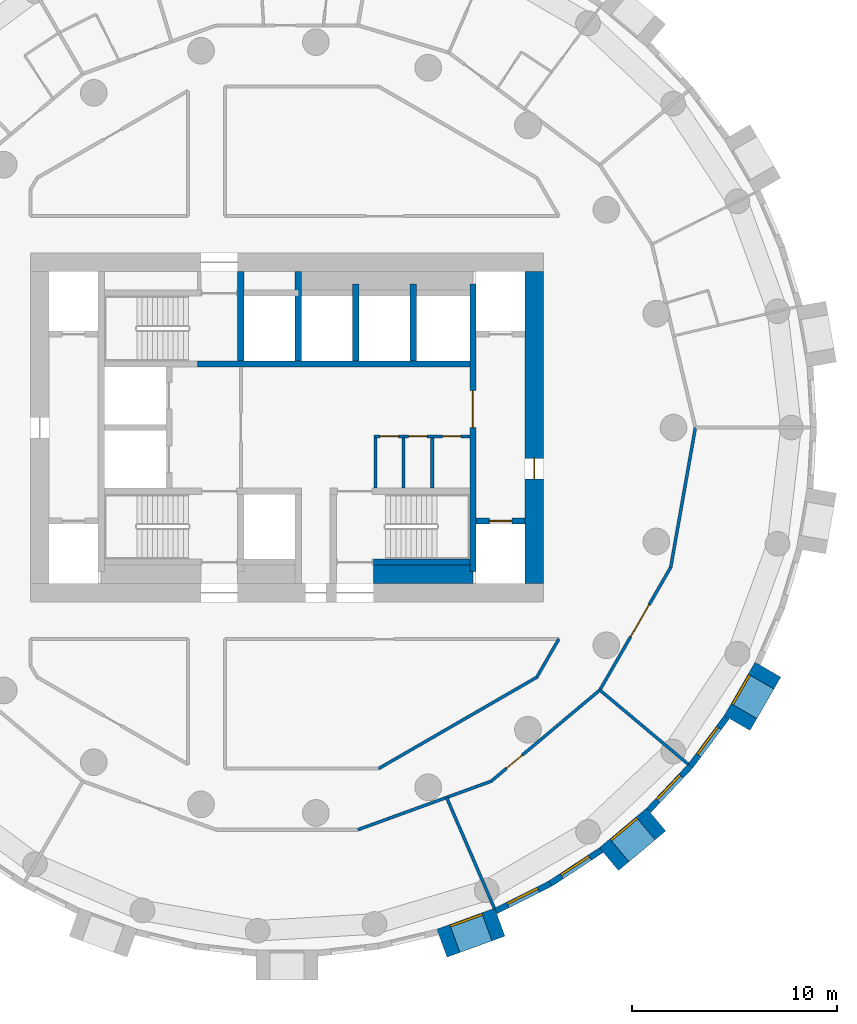
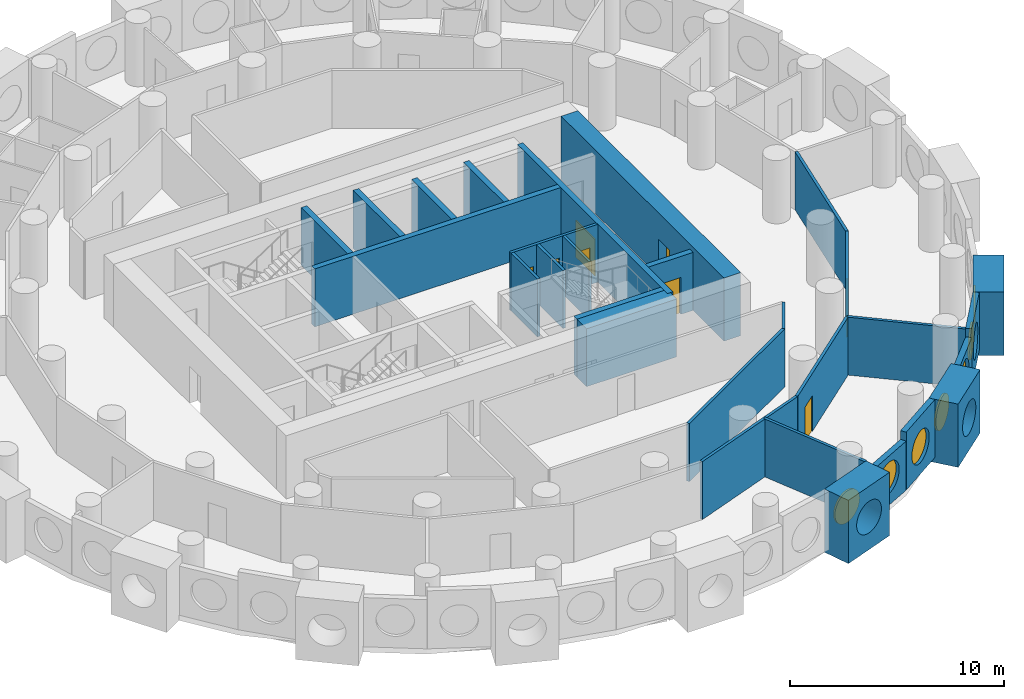
# One storey, part 4 of 9: 29 walls, 8 doors, 7 windows, 15 openings.
"""IFC4 building model written with IfcOpenShell, lengths in metres."""

from ifc_helpers import new_model, si_unit, direction, frame, frame_2d, origin, origin_2d, place, context, subcontext, project, spatial, rectangle, circle, extrude, material, layer, layer_set, type_object, element, fill, save


model = new_model("IFC4")

# Units and contexts
model_context = context("Model", 3, precision=1e-05, world=origin(), true_north=direction((0.0, 1.0)))
body_context = subcontext(model_context, "Body", "Model", "MODEL_VIEW")
ifc_project = project(units=[si_unit("LENGTHUNIT", "METRE"), si_unit("AREAUNIT", "SQUARE_METRE"), si_unit("VOLUMEUNIT", "CUBIC_METRE"), si_unit("PLANEANGLEUNIT", "RADIAN"), si_unit("MASSUNIT", "GRAM", prefix="KILO")], contexts=[model_context])

# Site, building, storey
site_placement = place(None, origin())
site = spatial("IfcSite", under=ifc_project, at=site_placement, CompositionType="ELEMENT")
building_placement = place(site_placement, origin())
building = spatial("IfcBuilding", under=site, at=building_placement, Name="Tracery Tower", CompositionType="ELEMENT")
storey_placement = place(building_placement, frame((0.0, 0.0, 172.800048828125)))
storey = spatial("IfcBuildingStorey", under=building, at=storey_placement, Name="L44", CompositionType="ELEMENT", Elevation=172.800048828125)

# Wall
ifc_material_1 = material(Name="Plasterboard on steel studs", Category="steel")
ifc_layer_1 = layer(ifc_material_1, 0.14990234375)
ifc_layer_set_1 = layer_set([ifc_layer_1], Name="Core room partition 150")
wall_type_1 = type_object("IfcWallType", Name="Core room partition 150", PredefinedType="SOLIDWALL", material=ifc_layer_set_1)
wall_1_placement = place(storey_placement, frame((4.300048828125, -2.949951171875, 0.0), z_axis=(0.0, 0.0, 1.0), x_axis=(0.0, 1.0, 0.0)))
element("IfcWall", 1, at=wall_1_placement, inside=storey, type_object=wall_type_1, Name="L44 slot W", PredefinedType="SOLIDWALL", context=body_context, shape_type="SweptSolid", body=[
    extrude(rectangle(XDim=2.449951171875, YDim=0.14990234375, at=frame_2d((1.22509765625, 0.0))), origin(), (0.0, 0.0, 1.0), 3.300048828125),
])

# Wall, openings, doors
wall_2_placement = place(storey_placement, frame((4.22509765625, -0.425048828125, 0.0), z_axis=(0.0, 0.0, 1.0), x_axis=(1.0, 0.0, 0.0)))
wall_2 = element("IfcWall", 2, at=wall_2_placement, inside=storey, type_object=wall_type_1, Name="L44 slot N", PredefinedType="SOLIDWALL", context=body_context, shape_type="SweptSolid", body=[
    extrude(rectangle(XDim=4.6748046875, YDim=0.14990234375, at=frame_2d((2.33740234375, 0.0))), origin(), (0.0, 0.0, 1.0), 3.300048828125),
])
opening_1_placement = place(wall_2_placement, frame((0.3125, 0.0, 0.0)))
opening_1 = element("IfcOpeningElement", 3, at=opening_1_placement, cuts=wall_2, Name="Opening KD32", PredefinedType="OPENING", context=body_context, shape_type="SweptSolid", body=[
    extrude(rectangle(XDim=0.89990234375, YDim=2.10009765625, at=frame_2d((0.449951171875, 1.050048828125))), frame((0.0, 0.074951171875, 0.0), z_axis=(0.0, -1.0, 0.0), x_axis=(1.0, 0.0, 0.0)), (0.0, 0.0, 1.0), 0.14990234375),
])
opening_2_placement = place(wall_2_placement, frame((1.699951171875, 0.0, 0.0)))
opening_2 = element("IfcOpeningElement", 4, at=opening_2_placement, cuts=wall_2, Name="Opening KD26", PredefinedType="OPENING", context=body_context, shape_type="SweptSolid", body=[
    extrude(rectangle(XDim=0.89990234375, YDim=2.10009765625, at=frame_2d((0.449951171875, 1.050048828125))), frame((0.0, 0.074951171875, 0.0), z_axis=(0.0, -1.0, 0.0), x_axis=(1.0, 0.0, 0.0)), (0.0, 0.0, 1.0), 0.14990234375),
])
opening_3_placement = place(wall_2_placement, frame((3.35009765625, 0.0, 0.0)))
opening_3 = element("IfcOpeningElement", 5, at=opening_3_placement, cuts=wall_2, Name="Opening KD22", PredefinedType="OPENING", context=body_context, shape_type="SweptSolid", body=[
    extrude(rectangle(XDim=0.89990234375, YDim=2.10009765625, at=frame_2d((0.449951171875, 1.050048828125))), frame((0.0, 0.074951171875, 0.0), z_axis=(0.0, -1.0, 0.0), x_axis=(1.0, 0.0, 0.0)), (0.0, 0.0, 1.0), 0.14990234375),
])
ifc_material_2 = material(Name="Timber door leaf", Category="wood")
door_type_1 = type_object("IfcDoorType", Name="Core WC door 900", OperationType="NOTDEFINED", PredefinedType="DOOR", material=ifc_material_2)
door_1_placement = place(opening_3_placement, origin())
door_1 = element("IfcDoor", 6, at=door_1_placement, inside=storey, type_object=door_type_1, Name="Core door", OperationType="SINGLE_SWING_RIGHT", OverallHeight=2.10009765625, OverallWidth=0.89990234375, PredefinedType="DOOR", context=body_context, shape_type="SweptSolid", body=[
    extrude(rectangle(XDim=0.89990234375, YDim=2.10009765625, at=frame_2d((0.449951171875, 1.050048828125))), frame((0.0, 0.02490234375, 0.0), z_axis=(0.0, -1.0, 0.0), x_axis=(1.0, 0.0, 0.0)), (0.0, 0.0, 1.0), 0.050048828125),
])
fill(opening_3, door_1)
ifc_material_3 = material(Name="Steel fire door", Category="steel")
door_type_2 = type_object("IfcDoorType", Name="Core riser door 900", OperationType="NOTDEFINED", PredefinedType="DOOR", material=ifc_material_3)
door_2_placement = place(opening_1_placement, origin())
door_2 = element("IfcDoor", 7, at=door_2_placement, inside=storey, type_object=door_type_2, Name="Core door", OperationType="SINGLE_SWING_RIGHT", OverallHeight=2.10009765625, OverallWidth=0.89990234375, PredefinedType="DOOR", context=body_context, shape_type="SweptSolid", body=[
    extrude(rectangle(XDim=0.89990234375, YDim=2.10009765625, at=frame_2d((0.449951171875, 1.050048828125))), frame((0.0, 0.02490234375, 0.0), z_axis=(0.0, -1.0, 0.0), x_axis=(1.0, 0.0, 0.0)), (0.0, 0.0, 1.0), 0.050048828125),
])
fill(opening_1, door_2)
ifc_material_4 = material(Name="Timber door leaf", Category="wood")
door_type_3 = type_object("IfcDoorType", Name="Core store door 900", OperationType="NOTDEFINED", PredefinedType="DOOR", material=ifc_material_4)
door_3_placement = place(opening_2_placement, origin())
door_3 = element("IfcDoor", 8, at=door_3_placement, inside=storey, type_object=door_type_3, Name="Core door", OperationType="SINGLE_SWING_LEFT", OverallHeight=2.10009765625, OverallWidth=0.89990234375, PredefinedType="DOOR", context=body_context, shape_type="SweptSolid", body=[
    extrude(rectangle(XDim=0.89990234375, YDim=2.10009765625, at=frame_2d((0.449951171875, 1.050048828125))), frame((0.0, 0.02490234375, 0.0), z_axis=(0.0, -1.0, 0.0), x_axis=(1.0, 0.0, 0.0)), (0.0, 0.0, 1.0), 0.050048828125),
])
fill(opening_2, door_3)

# Walls
for number, where, z_axis, x_axis, name in (
    (9, (5.675048828125, -2.949951171875, 0.0), (0.0, 0.0, 1.0), (0.0, 1.0, 0.0), "L44 slot sep 1"),
    (10, (7.074951171875, -2.949951171875, 0.0), (0.0, 0.0, 1.0), (0.0, 1.0, 0.0), "L44 slot sep 2"),
):
    element("IfcWall", number, at=place(storey_placement, frame(where, z_axis=z_axis, x_axis=x_axis)), inside=storey, type_object=wall_type_1, Name=name, PredefinedType="SOLIDWALL", context=body_context, shape_type="SweptSolid", body=[
        extrude(rectangle(XDim=2.449951171875, YDim=0.14990234375, at=frame_2d((1.22509765625, 0.0))), origin(), (0.0, 0.0, 1.0), 3.300048828125),
    ])
ifc_material_5 = material(Name="Concrete C50/60", Category="concrete")
ifc_layer_2 = layer(ifc_material_5, 0.89990234375)
ifc_layer_set_2 = layer_set([ifc_layer_2], Name="Core strip wall 900 C50")
wall_type_2 = type_object("IfcWallType", Name="Core strip wall 900 C50", PredefinedType="SOLIDWALL", material=ifc_layer_set_2)
wall_3_placement = place(storey_placement, frame((4.199951171875, -7.14990234375, 0.0), z_axis=(0.0, 0.0, 1.0), x_axis=(1.0, 0.0, 0.0)))
element("IfcWall", 11, at=wall_3_placement, inside=storey, type_object=wall_type_2, Name="L44 F thick S E", PredefinedType="SOLIDWALL", context=body_context, shape_type="SweptSolid", body=[
    extrude(rectangle(XDim=4.85009765625, YDim=0.89990234375, at=frame_2d((2.425048828125, 0.0))), origin(), (0.0, 0.0, 1.0), 3.300048828125),
])

# Wall, opening, door
ifc_material_6 = material(Name="Concrete C50/60", Category="concrete")
ifc_layer_3 = layer(ifc_material_6, 0.89990234375)
ifc_layer_set_3 = layer_set([ifc_layer_3], Name="Core wall 900 C50")
wall_type_3 = type_object("IfcWallType", Name="Core wall 900 C50", PredefinedType="SOLIDWALL", material=ifc_layer_set_3)
wall_4_placement = place(storey_placement, frame((12.050048828125, -7.60009765625, 0.0), z_axis=(0.0, 0.0, 1.0), x_axis=(0.0, 1.0, 0.0)))
wall_4 = element("IfcWall", 12, at=wall_4_placement, inside=storey, type_object=wall_type_3, Name="L44 outer E", PredefinedType="SOLIDWALL", context=body_context, shape_type="SweptSolid", body=[
    extrude(rectangle(XDim=15.2001953125, YDim=0.89990234375, at=frame_2d((7.60009765625, 0.0))), origin(), (0.0, 0.0, 1.0), 3.599853515625),
])
opening_4_placement = place(wall_4_placement, frame((5.10009765625, 0.0, 0.0)))
opening_4 = element("IfcOpeningElement", 13, at=opening_4_placement, cuts=wall_4, Name="Opening KD18", PredefinedType="OPENING", context=body_context, shape_type="SweptSolid", body=[
    extrude(rectangle(XDim=1.0, YDim=2.10009765625, at=frame_2d((0.5, 1.050048828125))), frame((0.0, 0.449951171875, 0.0), z_axis=(0.0, -1.0, 0.0), x_axis=(1.0, 0.0, 0.0)), (0.0, 0.0, 1.0), 0.89990234375),
])
ifc_material_7 = material(Name="Steel fire door", Category="steel")
door_type_4 = type_object("IfcDoorType", Name="Core exit door 1000", OperationType="NOTDEFINED", PredefinedType="DOOR", material=ifc_material_7)
door_4_placement = place(opening_4_placement, origin())
door_4 = element("IfcDoor", 14, at=door_4_placement, inside=storey, type_object=door_type_4, Name="Core exit door", OperationType="DOUBLE_DOOR_SINGLE_SWING", OverallHeight=2.10009765625, OverallWidth=1.0, PredefinedType="DOOR", context=body_context, shape_type="SweptSolid", body=[
    extrude(rectangle(XDim=1.0, YDim=2.10009765625, at=frame_2d((0.5, 1.050048828125))), frame((0.0, 0.02490234375, 0.0), z_axis=(0.0, -1.0, 0.0), x_axis=(1.0, 0.0, 0.0)), (0.0, 0.0, 1.0), 0.050048828125),
])
fill(opening_4, door_4)

# Wall, opening, window
ifc_material_8 = material(Name="Precast concrete C50/60", Category="concrete")
ifc_layer_4 = layer(ifc_material_8, 1.449951171875)
ifc_layer_set_4 = layer_set([ifc_layer_4], Name="Deep-set bay unit 3000 x 3600, slab edge 300")
wall_type_4 = type_object("IfcWallType", Name="Deep-set bay unit 3000 x 3600, slab edge 300", PredefinedType="ELEMENTEDWALL", material=ifc_layer_set_4)
wall_5_placement = place(storey_placement, frame((7.544189453125, -25.11328125, -0.300048828125), z_axis=(0.0, 0.0, 1.0), x_axis=(0.939686455819, 0.342037080957, 0.0)))
wall_5 = element("IfcWall", 15, at=wall_5_placement, inside=storey, type_object=wall_type_4, Name="Deep-set bay unit 44 at L44", PredefinedType="ELEMENTEDWALL", context=body_context, shape_type="SweptSolid", body=[
    extrude(rectangle(XDim=3.0, YDim=1.449951171875, at=frame_2d((1.5, 0.0))), origin(), (0.0, 0.0, 1.0), 3.60009765625),
])
opening_5_placement = place(wall_5_placement, frame((1.5, 0.0, 1.85009765625)))
opening_5 = element("IfcOpeningElement", 16, at=opening_5_placement, cuts=wall_5, Name="Opening WN1", PredefinedType="OPENING", context=body_context, shape_type="SweptSolid", body=[
    extrude(circle(Radius=0.9000244140625, at=origin_2d()), frame((0.0, 0.73486328125, 0.0), z_axis=(0.0, -1.0, 0.0), x_axis=(1.0, 0.0, 0.0)), (0.0, 0.0, 1.0), 1.469970703125),
])
ifc_material_9 = material(Name="Aluminium frame with tinted double glazing", Category="aluminium")
window_type = type_object("IfcWindowType", Name="Round window 1800", PartitioningType="SINGLE_PANEL", PredefinedType="WINDOW", material=ifc_material_9)
window_1_placement = place(opening_5_placement, origin())
window_1 = element("IfcWindow", 17, at=window_1_placement, inside=storey, type_object=window_type, Name="Round window 44 at L44", OverallHeight=1.800048828125, OverallWidth=1.800048828125, PartitioningType="SINGLE_PANEL", PredefinedType="WINDOW", context=body_context, shape_type="SweptSolid", body=[
    extrude(circle(Radius=0.9000244140625, at=origin_2d()), frame((0.0, 0.69482421875, 0.0), z_axis=(0.0, -1.0, 0.0), x_axis=(1.0, 0.0, 0.0)), (0.0, 0.0, 1.0), 0.10009765625),
])
fill(opening_5, window_1)

wall_6_placement = place(storey_placement, frame((15.678466796875, -21.0185546875, -0.300048828125), z_axis=(0.0, 0.0, 1.0), x_axis=(0.766022196139, 0.642814121673, 0.0)))
wall_6 = element("IfcWall", 18, at=wall_6_placement, inside=storey, type_object=wall_type_4, Name="Deep-set bay unit 47 at L44", PredefinedType="ELEMENTEDWALL", context=body_context, shape_type="SweptSolid", body=[
    extrude(rectangle(XDim=3.0, YDim=1.449951171875, at=frame_2d((1.5, 0.0))), origin(), (0.0, 0.0, 1.0), 3.60009765625),
])
opening_6_placement = place(wall_6_placement, frame((1.5, 0.0, 1.85009765625)))
opening_6 = element("IfcOpeningElement", 19, at=opening_6_placement, cuts=wall_6, Name="Opening WN1", PredefinedType="OPENING", context=body_context, shape_type="SweptSolid", body=[
    extrude(circle(Radius=0.9000244140625, at=origin_2d()), frame((0.0, 0.73486328125, 0.0), z_axis=(0.0, -1.0, 0.0), x_axis=(1.0, 0.0, 0.0)), (0.0, 0.0, 1.0), 1.469970703125),
])
window_2_placement = place(opening_6_placement, origin())
window_2 = element("IfcWindow", 20, at=window_2_placement, inside=storey, type_object=window_type, Name="Round window 47 at L44", OverallHeight=1.800048828125, OverallWidth=1.800048828125, PartitioningType="SINGLE_PANEL", PredefinedType="WINDOW", context=body_context, shape_type="SweptSolid", body=[
    extrude(circle(Radius=0.9000244140625, at=origin_2d()), frame((0.0, 0.69482421875, 0.0), z_axis=(0.0, -1.0, 0.0), x_axis=(1.0, 0.0, 0.0)), (0.0, 0.0, 1.0), 0.10009765625),
])
fill(opening_6, window_2)

wall_7_placement = place(storey_placement, frame((21.921630859375, -14.388671875, -0.300048828125), z_axis=(0.0, 0.0, 1.0), x_axis=(0.499990139034, 0.866031096941, 0.0)))
wall_7 = element("IfcWall", 21, at=wall_7_placement, inside=storey, type_object=wall_type_4, Name="Deep-set bay unit 50 at L44", PredefinedType="ELEMENTEDWALL", context=body_context, shape_type="SweptSolid", body=[
    extrude(rectangle(XDim=3.0, YDim=1.449951171875, at=frame_2d((1.5, 0.0))), origin(), (0.0, 0.0, 1.0), 3.60009765625),
])
opening_7_placement = place(wall_7_placement, frame((1.5, 0.0, 1.85009765625)))
opening_7 = element("IfcOpeningElement", 22, at=opening_7_placement, cuts=wall_7, Name="Opening WN1", PredefinedType="OPENING", context=body_context, shape_type="SweptSolid", body=[
    extrude(circle(Radius=0.9000244140625, at=origin_2d()), frame((0.0, 0.73486328125, 0.0), z_axis=(0.0, -1.0, 0.0), x_axis=(1.0, 0.0, 0.0)), (0.0, 0.0, 1.0), 1.469970703125),
])
window_3_placement = place(opening_7_placement, origin())
window_3 = element("IfcWindow", 23, at=window_3_placement, inside=storey, type_object=window_type, Name="Round window 50 at L44", OverallHeight=1.800048828125, OverallWidth=1.800048828125, PartitioningType="SINGLE_PANEL", PredefinedType="WINDOW", context=body_context, shape_type="SweptSolid", body=[
    extrude(circle(Radius=0.9000244140625, at=origin_2d()), frame((0.0, 0.69482421875, 0.0), z_axis=(0.0, -1.0, 0.0), x_axis=(1.0, 0.0, 0.0)), (0.0, 0.0, 1.0), 0.10009765625),
])
fill(opening_7, window_3)

ifc_material_10 = material(Name="Precast concrete C50/60", Category="concrete")
ifc_layer_5 = layer(ifc_material_10, 0.300048828125)
ifc_layer_set_5 = layer_set([ifc_layer_5], Name="Facade panel 3000 x 2800")
wall_type_5 = type_object("IfcWallType", Name="Facade panel 3000 x 2800", PredefinedType="SOLIDWALL", material=ifc_layer_set_5)
wall_8_placement = place(storey_placement, frame((10.1669921875, -23.545654296875, 0.0), z_axis=(0.0, 0.0, 1.0), x_axis=(0.893637442555, 0.448789618045, 0.0)))
wall_8 = element("IfcWall", 24, at=wall_8_placement, inside=storey, type_object=wall_type_5, Name="Facade panel 45 at L44", PredefinedType="SOLIDWALL", context=body_context, shape_type="SweptSolid", body=[
    extrude(rectangle(XDim=2.972900390625, YDim=0.300048828125, at=frame_2d((1.486328125, 0.0))), origin(), (0.0, 0.0, 1.0), 2.800048828125),
])
opening_8_placement = place(wall_8_placement, frame((1.486328125, 0.0, 1.5498046875)))
opening_8 = element("IfcOpeningElement", 25, at=opening_8_placement, cuts=wall_8, Name="Opening WN1", PredefinedType="OPENING", context=body_context, shape_type="SweptSolid", body=[
    extrude(circle(Radius=0.9000244140625, at=origin_2d()), frame((0.0, 0.159912109375, 0.0), z_axis=(0.0, -1.0, 0.0), x_axis=(1.0, 0.0, 0.0)), (0.0, 0.0, 1.0), 0.320068359375),
])
window_4_placement = place(opening_8_placement, origin())
window_4 = element("IfcWindow", 26, at=window_4_placement, inside=storey, type_object=window_type, Name="Round window 45 at L44", OverallHeight=1.800048828125, OverallWidth=1.800048828125, PartitioningType="SINGLE_PANEL", PredefinedType="WINDOW", context=body_context, shape_type="SweptSolid", body=[
    extrude(circle(Radius=0.9000244140625, at=origin_2d()), frame((0.0, 0.1201171875, 0.0), z_axis=(0.0, -1.0, 0.0), x_axis=(1.0, 0.0, 0.0)), (0.0, 0.0, 1.0), 0.10009765625),
])
fill(opening_8, window_4)

wall_9_placement = place(storey_placement, frame((17.60693359375, -18.648193359375, 0.0), z_axis=(0.0, 0.0, 1.0), x_axis=(0.686235184166, 0.727379730273, 0.0)))
wall_9 = element("IfcWall", 27, at=wall_9_placement, inside=storey, type_object=wall_type_5, Name="Facade panel 48 at L44", PredefinedType="SOLIDWALL", context=body_context, shape_type="SweptSolid", body=[
    extrude(rectangle(XDim=2.972900390625, YDim=0.300048828125, at=frame_2d((1.486328125, 0.0))), origin(), (0.0, 0.0, 1.0), 2.800048828125),
])
opening_9_placement = place(wall_9_placement, frame((1.486328125, 0.0, 1.5498046875)))
opening_9 = element("IfcOpeningElement", 28, at=opening_9_placement, cuts=wall_9, Name="Opening WN1", PredefinedType="OPENING", context=body_context, shape_type="SweptSolid", body=[
    extrude(circle(Radius=0.9000244140625, at=origin_2d()), frame((0.0, 0.159912109375, 0.0), z_axis=(0.0, -1.0, 0.0), x_axis=(1.0, 0.0, 0.0)), (0.0, 0.0, 1.0), 0.320068359375),
])
window_5_placement = place(opening_9_placement, origin())
window_5 = element("IfcWindow", 29, at=window_5_placement, inside=storey, type_object=window_type, Name="Round window 48 at L44", OverallHeight=1.800048828125, OverallWidth=1.800048828125, PartitioningType="SINGLE_PANEL", PredefinedType="WINDOW", context=body_context, shape_type="SweptSolid", body=[
    extrude(circle(Radius=0.9000244140625, at=origin_2d()), frame((0.0, 0.1201171875, 0.0), z_axis=(0.0, -1.0, 0.0), x_axis=(1.0, 0.0, 0.0)), (0.0, 0.0, 1.0), 0.10009765625),
])
fill(opening_9, window_5)

ifc_material_11 = material(Name="Precast concrete C50/60", Category="concrete")
ifc_layer_6 = layer(ifc_material_11, 0.300048828125)
ifc_layer_set_6 = layer_set([ifc_layer_6], Name="Facade panel 3000 x 3300")
wall_type_6 = type_object("IfcWallType", Name="Facade panel 3000 x 3300", PredefinedType="SOLIDWALL", material=ifc_layer_set_6)
wall_10_placement = place(storey_placement, frame((12.82373046875, -22.21142578125, 0.0), z_axis=(0.0, 0.0, 1.0), x_axis=(0.835470659512, 0.549535055382, 0.0)))
wall_10 = element("IfcWall", 30, at=wall_10_placement, inside=storey, type_object=wall_type_6, Name="Facade panel 46 at L44", PredefinedType="SOLIDWALL", context=body_context, shape_type="SweptSolid", body=[
    extrude(rectangle(XDim=2.97314453125, YDim=0.300048828125, at=frame_2d((1.486572265625, 0.0))), origin(), (0.0, 0.0, 1.0), 3.300048828125),
])
opening_10_placement = place(wall_10_placement, frame((1.486328125, 0.0, 1.5498046875)))
opening_10 = element("IfcOpeningElement", 31, at=opening_10_placement, cuts=wall_10, Name="Opening WN1", PredefinedType="OPENING", context=body_context, shape_type="SweptSolid", body=[
    extrude(circle(Radius=0.9000244140625, at=origin_2d()), frame((0.0, 0.159912109375, 0.0), z_axis=(0.0, -1.0, 0.0), x_axis=(1.0, 0.0, 0.0)), (0.0, 0.0, 1.0), 0.320068359375),
])
window_6_placement = place(opening_10_placement, origin())
window_6 = element("IfcWindow", 32, at=window_6_placement, inside=storey, type_object=window_type, Name="Round window 46 at L44", OverallHeight=1.800048828125, OverallWidth=1.800048828125, PartitioningType="SINGLE_PANEL", PredefinedType="WINDOW", context=body_context, shape_type="SweptSolid", body=[
    extrude(circle(Radius=0.9000244140625, at=origin_2d()), frame((0.0, 0.1201171875, 0.0), z_axis=(0.0, -1.0, 0.0), x_axis=(1.0, 0.0, 0.0)), (0.0, 0.0, 1.0), 0.10009765625),
])
fill(opening_10, window_6)

wall_11_placement = place(storey_placement, frame((19.64697265625, -16.48583984375, 0.0), z_axis=(0.0, 0.0, 1.0), x_axis=(0.597197580538, 0.80209416517, 0.0)))
wall_11 = element("IfcWall", 33, at=wall_11_placement, inside=storey, type_object=wall_type_6, Name="Facade panel 49 at L44", PredefinedType="SOLIDWALL", context=body_context, shape_type="SweptSolid", body=[
    extrude(rectangle(XDim=2.972900390625, YDim=0.300048828125, at=frame_2d((1.486328125, 0.0))), origin(), (0.0, 0.0, 1.0), 3.300048828125),
])
opening_11_placement = place(wall_11_placement, frame((1.486328125, 0.0, 1.5498046875)))
opening_11 = element("IfcOpeningElement", 34, at=opening_11_placement, cuts=wall_11, Name="Opening WN1", PredefinedType="OPENING", context=body_context, shape_type="SweptSolid", body=[
    extrude(circle(Radius=0.9000244140625, at=origin_2d()), frame((0.0, 0.159912109375, 0.0), z_axis=(0.0, -1.0, 0.0), x_axis=(1.0, 0.0, 0.0)), (0.0, 0.0, 1.0), 0.320068359375),
])
window_7_placement = place(opening_11_placement, origin())
window_7 = element("IfcWindow", 35, at=window_7_placement, inside=storey, type_object=window_type, Name="Round window 49 at L44", OverallHeight=1.800048828125, OverallWidth=1.800048828125, PartitioningType="SINGLE_PANEL", PredefinedType="WINDOW", context=body_context, shape_type="SweptSolid", body=[
    extrude(circle(Radius=0.9000244140625, at=origin_2d()), frame((0.0, 0.1201171875, 0.0), z_axis=(0.0, -1.0, 0.0), x_axis=(1.0, 0.0, 0.0)), (0.0, 0.0, 1.0), 0.10009765625),
])
fill(opening_11, window_7)

# Walls
ifc_material_12 = material(Name="Plasterboard on steel studs", Category="steel")
ifc_layer_7 = layer(ifc_material_12, 0.14990234375)
ifc_layer_set_7 = layer_set([ifc_layer_7], Name="Partition 150 acoustic unit wall")
wall_type_7 = type_object("IfcWallType", Name="Partition 150 acoustic unit wall", PredefinedType="PARTITIONING", material=ifc_layer_set_7)
wall_12_placement = place(storey_placement, frame((7.77099609375, -18.013916015625, 0.0), z_axis=(0.0, 0.0, 1.0), x_axis=(0.39601833725, -0.918242602236, 0.0)))
element("IfcWall", 36, at=wall_12_placement, inside=storey, type_object=wall_type_7, Name="Unit wall RB5-065", PredefinedType="PARTITIONING", context=body_context, shape_type="SweptSolid", body=[
    extrude(rectangle(XDim=5.87890625, YDim=0.14990234375, at=frame_2d((2.939453125, 0.0))), origin(), (0.0, 0.0, 1.0), 3.300048828125),
])
wall_13_placement = place(storey_placement, frame((15.235107421875, -12.783935546875, 0.0), z_axis=(0.0, 0.0, 1.0), x_axis=(0.76609059793, -0.642732600514, 0.0)))
element("IfcWall", 37, at=wall_13_placement, inside=storey, type_object=wall_type_7, Name="Unit wall RB5-066", PredefinedType="PARTITIONING", context=body_context, shape_type="SweptSolid", body=[
    extrude(rectangle(XDim=5.60888671875, YDim=0.14990234375, at=frame_2d((2.804443359375, 0.0))), origin(), (0.0, 0.0, 1.0), 3.300048828125),
])
ifc_material_13 = material(Name="Plasterboard on steel studs", Category="steel")
ifc_layer_8 = layer(ifc_material_13, 0.14990234375)
ifc_layer_set_8 = layer_set([ifc_layer_8], Name="Partition 150 corridor wall")
wall_type_8 = type_object("IfcWallType", Name="Partition 150 corridor wall", PredefinedType="PARTITIONING", material=ifc_layer_set_8)
wall_14_placement = place(storey_placement, frame((12.162109375, -12.162109375, 0.0), z_axis=(0.0, 0.0, 1.0), x_axis=(0.499961633463, 0.866047553582, 0.0)))
element("IfcWall", 38, at=wall_14_placement, inside=storey, type_object=wall_type_8, Name="Corridor wall RB5-006", PredefinedType="PARTITIONING", context=body_context, shape_type="SweptSolid", body=[
    extrude(rectangle(XDim=2.150146484375, YDim=0.14990234375, at=frame_2d((1.0751953125, 0.0))), origin(), (0.0, 0.0, 1.0), 3.300048828125),
])

# Wall, opening, door
wall_15_placement = place(storey_placement, frame((9.943359375, -17.22216796875, 0.0), z_axis=(0.0, 0.0, 1.0), x_axis=(0.766192104565, 0.642611592567, 0.0)))
wall_15 = element("IfcWall", 39, at=wall_15_placement, inside=storey, type_object=wall_type_8, Name="Corridor wall RB5-010", PredefinedType="PARTITIONING", context=body_context, shape_type="SweptSolid", body=[
    extrude(rectangle(XDim=6.906494140625, YDim=0.14990234375, at=frame_2d((3.453125, 0.0))), origin(), (0.0, 0.0, 1.0), 3.300048828125),
])
opening_12_placement = place(wall_15_placement, frame((0.983642578125, 0.0, 0.0)))
opening_12 = element("IfcOpeningElement", 40, at=opening_12_placement, cuts=wall_15, Name="Opening RB5-24", PredefinedType="OPENING", context=body_context, shape_type="SweptSolid", body=[
    extrude(rectangle(XDim=1.0, YDim=2.0400390625, at=frame_2d((0.5, 1.02001953125))), frame((0.0, 0.074951171875, 0.0), z_axis=(0.0, -1.0, 0.0), x_axis=(1.0, 0.0, 0.0)), (0.0, 0.0, 1.0), 0.14990234375),
])
ifc_material_14 = material(Name="Timber door leaf", Category="wood")
door_type_5 = type_object("IfcDoorType", Name="Door communal room 1000", OperationType="NOTDEFINED", PredefinedType="DOOR", material=ifc_material_14)
door_5_placement = place(opening_12_placement, origin())
door_5 = element("IfcDoor", 41, at=door_5_placement, inside=storey, type_object=door_type_5, Name="Communal room door RB5-24", OperationType="SINGLE_SWING_RIGHT", OverallHeight=2.0400390625, OverallWidth=1.0, PredefinedType="DOOR", context=body_context, shape_type="SweptSolid", body=[
    extrude(rectangle(XDim=1.0, YDim=2.0400390625, at=frame_2d((0.5, 1.02001953125))), frame((0.0, 0.02490234375, 0.0), z_axis=(0.0, -1.0, 0.0), x_axis=(1.0, 0.0, 0.0)), (0.0, 0.0, 1.0), 0.050048828125),
])
fill(opening_12, door_5)

# Wall
wall_16_placement = place(storey_placement, frame((18.68798828125, -6.802001953125, 0.0), z_axis=(0.0, 0.0, 1.0), x_axis=(0.173728873845, 0.98479352069, 0.0)))
element("IfcWall", 42, at=wall_16_placement, inside=storey, type_object=wall_type_8, Name="Corridor wall RB5-011", PredefinedType="PARTITIONING", context=body_context, shape_type="SweptSolid", body=[
    extrude(rectangle(XDim=6.906982421875, YDim=0.14990234375, at=frame_2d((3.45361328125, 0.0))), origin(), (0.0, 0.0, 1.0), 3.300048828125),
])

# Wall, opening, door
wall_17_placement = place(storey_placement, frame((15.235107421875, -12.783935546875, 0.0), z_axis=(0.0, 0.0, 1.0), x_axis=(0.499914202267, 0.866074933462, 0.0)))
wall_17 = element("IfcWall", 43, at=wall_17_placement, inside=storey, type_object=wall_type_8, Name="Corridor wall RB5-012", PredefinedType="PARTITIONING", context=body_context, shape_type="SweptSolid", body=[
    extrude(rectangle(XDim=6.906982421875, YDim=0.14990234375, at=frame_2d((3.45361328125, 0.0))), origin(), (0.0, 0.0, 1.0), 3.300048828125),
])
opening_13_placement = place(wall_17_placement, frame((3.003173828125, 0.0, 0.0)))
opening_13 = element("IfcOpeningElement", 44, at=opening_13_placement, cuts=wall_17, Name="Opening RB5-25", PredefinedType="OPENING", context=body_context, shape_type="SweptSolid", body=[
    extrude(rectangle(XDim=1.800048828125, YDim=2.10009765625, at=frame_2d((0.89990234375, 1.050048828125))), frame((0.0, 0.074951171875, 0.0), z_axis=(0.0, -1.0, 0.0), x_axis=(1.0, 0.0, 0.0)), (0.0, 0.0, 1.0), 0.14990234375),
])
ifc_material_15 = material(Name="Timber door leaf", Category="wood")
door_type_6 = type_object("IfcDoorType", Name="Door double lounge 1800", OperationType="NOTDEFINED", PredefinedType="DOOR", material=ifc_material_15)
door_6_placement = place(opening_13_placement, origin())
door_6 = element("IfcDoor", 45, at=door_6_placement, inside=storey, type_object=door_type_6, Name="Double lounge door RB5-25", OperationType="DOUBLE_DOOR_SINGLE_SWING", OverallHeight=2.10009765625, OverallWidth=1.800048828125, PredefinedType="DOOR", context=body_context, shape_type="SweptSolid", body=[
    extrude(rectangle(XDim=1.800048828125, YDim=2.10009765625, at=frame_2d((0.89990234375, 1.050048828125))), frame((0.0, 0.02490234375, 0.0), z_axis=(0.0, -1.0, 0.0), x_axis=(1.0, 0.0, 0.0)), (0.0, 0.0, 1.0), 0.050048828125),
])
fill(opening_13, door_6)

# Walls
wall_18_placement = place(storey_placement, frame((4.451904296875, -16.614013671875, 0.0), z_axis=(0.0, 0.0, 1.0), x_axis=(0.866005203721, 0.500034985904, 0.0)))
element("IfcWall", 46, at=wall_18_placement, inside=storey, type_object=wall_type_8, Name="Corridor wall RB5-035", PredefinedType="PARTITIONING", context=body_context, shape_type="SweptSolid", body=[
    extrude(rectangle(XDim=8.903076171875, YDim=0.14990234375, at=frame_2d((4.45166015625, 0.0))), origin(), (0.0, 0.0, 1.0), 3.300048828125),
])
wall_19_placement = place(storey_placement, frame((3.452880859375, -19.5859375, 0.0), z_axis=(0.0, 0.0, 1.0), x_axis=(0.939695353595, 0.342012634901, 0.0)))
element("IfcWall", 47, at=wall_19_placement, inside=storey, type_object=wall_type_8, Name="Corridor wall RB5-036", PredefinedType="PARTITIONING", context=body_context, shape_type="SweptSolid", body=[
    extrude(rectangle(XDim=6.90771484375, YDim=0.14990234375, at=frame_2d((3.453857421875, 0.0))), origin(), (0.0, 0.0, 1.0), 3.300048828125),
])
ifc_material_16 = material(Name="Concrete C50/60", Category="concrete")
ifc_layer_9 = layer(ifc_material_16, 0.300048828125)
ifc_layer_set_9 = layer_set([ifc_layer_9], Name="Shaft wall 300 C50")
wall_type_9 = type_object("IfcWallType", Name="Shaft wall 300 C50", PredefinedType="SOLIDWALL", material=ifc_layer_set_9)
wall_20_placement = place(storey_placement, frame((0.550048828125, 3.25, 0.0), z_axis=(0.0, 0.0, 1.0), x_axis=(0.0, 1.0, 0.0)))
element("IfcWall", 48, at=wall_20_placement, inside=storey, type_object=wall_type_9, Name="L44 HR sep 1", PredefinedType="SOLIDWALL", context=body_context, shape_type="SweptSolid", body=[
    extrude(rectangle(XDim=4.35009765625, YDim=0.300048828125, at=frame_2d((2.175048828125, 0.0))), origin(), (0.0, 0.0, 1.0), 3.300048828125),
])
for number, where, z_axis, x_axis, name in (
    (49, (3.35009765625, 3.25, 0.0), (0.0, 0.0, 1.0), (0.0, 1.0, 0.0), "L44 HR sep 2"),
    (50, (6.14990234375, 3.25, 0.0), (0.0, 0.0, 1.0), (0.0, 1.0, 0.0), "L44 HR sep 3"),
):
    element("IfcWall", number, at=place(storey_placement, frame(where, z_axis=z_axis, x_axis=x_axis)), inside=storey, type_object=wall_type_9, Name=name, PredefinedType="SOLIDWALL", context=body_context, shape_type="SweptSolid", body=[
        extrude(rectangle(XDim=3.75, YDim=0.300048828125, at=frame_2d((1.875, 0.0))), origin(), (0.0, 0.0, 1.0), 3.300048828125),
    ])

# Wall, opening, door
wall_21_placement = place(storey_placement, frame((9.199951171875, -4.550048828125, 0.0), z_axis=(0.0, 0.0, 1.0), x_axis=(1.0, 0.0, 0.0)))
wall_21 = element("IfcWall", 51, at=wall_21_placement, inside=storey, type_object=wall_type_9, Name="L44 MR E -4.55", PredefinedType="SOLIDWALL", context=body_context, shape_type="SweptSolid", body=[
    extrude(rectangle(XDim=2.400146484375, YDim=0.300048828125, at=frame_2d((1.2001953125, 0.0))), origin(), (0.0, 0.0, 1.0), 3.300048828125),
])
opening_14_placement = place(wall_21_placement, frame((0.64990234375, 0.0, 0.0)))
opening_14 = element("IfcOpeningElement", 52, at=opening_14_placement, cuts=wall_21, Name="Opening KD50", PredefinedType="OPENING", context=body_context, shape_type="SweptSolid", body=[
    extrude(rectangle(XDim=1.10009765625, YDim=2.10009765625, at=frame_2d((0.550048828125, 1.050048828125))), frame((0.0, 0.14990234375, 0.0), z_axis=(0.0, -1.0, 0.0), x_axis=(1.0, 0.0, 0.0)), (0.0, 0.0, 1.0), 0.300048828125),
])
ifc_material_17 = material(Name="Steel fire door", Category="steel")
door_type_7 = type_object("IfcDoorType", Name="Landing door 1100", OperationType="NOTDEFINED", PredefinedType="DOOR", material=ifc_material_17)
door_7_placement = place(opening_14_placement, origin())
door_7 = element("IfcDoor", 53, at=door_7_placement, inside=storey, type_object=door_type_7, Name="Landing door MR3", OperationType="SLIDING_TO_RIGHT", OverallHeight=2.10009765625, OverallWidth=1.10009765625, PredefinedType="DOOR", context=body_context, shape_type="SweptSolid", body=[
    extrude(rectangle(XDim=1.10009765625, YDim=2.10009765625, at=frame_2d((0.550048828125, 1.050048828125))), frame((0.0, 0.02490234375, 0.0), z_axis=(0.0, -1.0, 0.0), x_axis=(1.0, 0.0, 0.0)), (0.0, 0.0, 1.0), 0.050048828125),
])
fill(opening_14, door_7)

# Walls
ifc_material_18 = material(Name="Concrete C50/60", Category="concrete")
ifc_layer_10 = layer(ifc_material_18, 0.300048828125)
ifc_layer_set_10 = layer_set([ifc_layer_10], Name="Stair wall 300 C50")
wall_type_10 = type_object("IfcWallType", Name="Stair wall 300 C50", PredefinedType="SOLIDWALL", material=ifc_layer_set_10)
wall_22_placement = place(storey_placement, frame((-4.35009765625, 3.10009765625, 0.0), z_axis=(0.0, 0.0, 1.0), x_axis=(1.0, 0.0, 0.0)))
element("IfcWall", 54, at=wall_22_placement, inside=storey, type_object=wall_type_10, Name="L44 row N", PredefinedType="SOLIDWALL", context=body_context, shape_type="SweptSolid", body=[
    extrude(rectangle(XDim=13.25, YDim=0.300048828125, at=frame_2d((6.625, 0.0))), origin(), (0.0, 0.0, 1.0), 3.300048828125),
])
wall_23_placement = place(storey_placement, frame((-2.25, 3.25, 0.0), z_axis=(0.0, 0.0, 1.0), x_axis=(0.0, 1.0, 0.0)))
element("IfcWall", 55, at=wall_23_placement, inside=storey, type_object=wall_type_10, Name="L44 ST3 E", PredefinedType="SOLIDWALL", context=body_context, shape_type="SweptSolid", body=[
    extrude(rectangle(XDim=4.35009765625, YDim=0.300048828125, at=frame_2d((2.175048828125, 0.0))), origin(), (0.0, 0.0, 1.0), 3.300048828125),
])

# Wall, opening, door
wall_24_placement = place(storey_placement, frame((9.050048828125, -7.0, 0.0), z_axis=(0.0, 0.0, 1.0), x_axis=(0.0, 1.0, 0.0)))
wall_24 = element("IfcWall", 56, at=wall_24_placement, inside=storey, type_object=wall_type_10, Name="L44 F wall +9", PredefinedType="SOLIDWALL", context=body_context, shape_type="SweptSolid", body=[
    extrude(rectangle(XDim=14.0, YDim=0.300048828125, at=frame_2d((7.0, 0.0))), origin(), (0.0, 0.0, 1.0), 3.300048828125),
])
opening_15_placement = place(wall_24_placement, frame((7.0, 0.0, 0.0)))
opening_15 = element("IfcOpeningElement", 57, at=opening_15_placement, cuts=wall_24, Name="Opening KD13", PredefinedType="OPENING", context=body_context, shape_type="SweptSolid", body=[
    extrude(rectangle(XDim=1.800048828125, YDim=2.10009765625, at=frame_2d((0.89990234375, 1.050048828125))), frame((0.0, 0.14990234375, 0.0), z_axis=(0.0, -1.0, 0.0), x_axis=(1.0, 0.0, 0.0)), (0.0, 0.0, 1.0), 0.300048828125),
])
ifc_material_19 = material(Name="Steel fire door", Category="steel")
door_type_8 = type_object("IfcDoorType", Name="Core exit door 1800 double", OperationType="NOTDEFINED", PredefinedType="DOOR", material=ifc_material_19)
door_8_placement = place(opening_15_placement, origin())
door_8 = element("IfcDoor", 58, at=door_8_placement, inside=storey, type_object=door_type_8, Name="Core exit door", OperationType="DOUBLE_DOOR_SINGLE_SWING", OverallHeight=2.10009765625, OverallWidth=1.800048828125, PredefinedType="DOOR", context=body_context, shape_type="SweptSolid", body=[
    extrude(rectangle(XDim=1.800048828125, YDim=2.10009765625, at=frame_2d((0.89990234375, 1.050048828125))), frame((0.0, 0.02490234375, 0.0), z_axis=(0.0, -1.0, 0.0), x_axis=(1.0, 0.0, 0.0)), (0.0, 0.0, 1.0), 0.050048828125),
])
fill(opening_15, door_8)

# Wall
wall_25_placement = place(storey_placement, frame((4.199951171875, -6.550048828125, 0.0), z_axis=(0.0, 0.0, 1.0), x_axis=(1.0, 0.0, 0.0)))
element("IfcWall", 59, at=wall_25_placement, inside=storey, type_object=wall_type_10, Name="L44 F stair strip S E", PredefinedType="SOLIDWALL", context=body_context, shape_type="SweptSolid", body=[
    extrude(rectangle(XDim=4.699951171875, YDim=0.300048828125, at=frame_2d((2.35009765625, 0.0))), origin(), (0.0, 0.0, 1.0), 3.300048828125),
])

save(model, "model.ifc")
